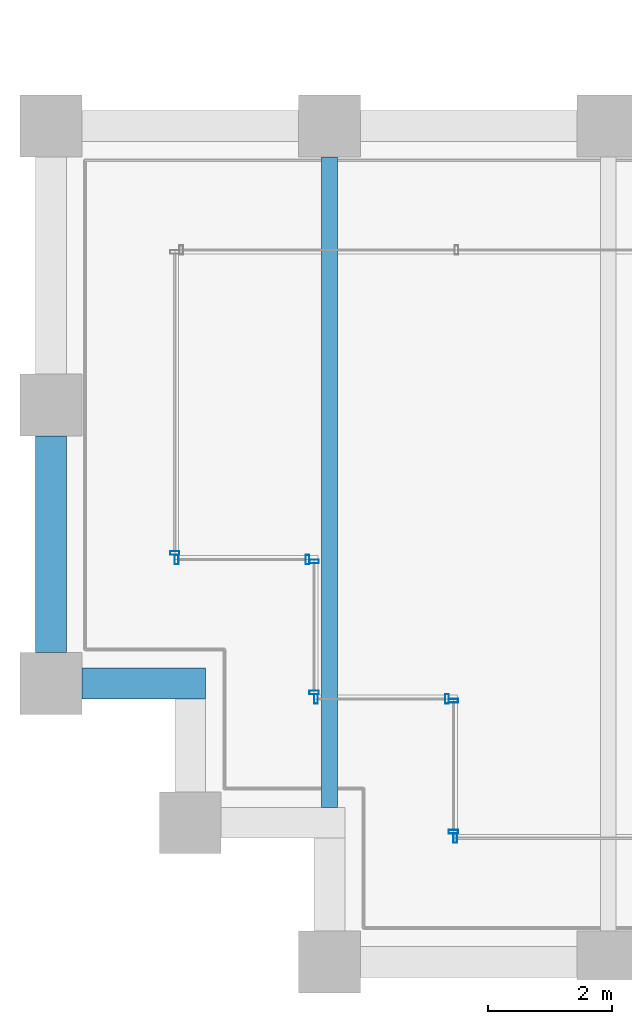
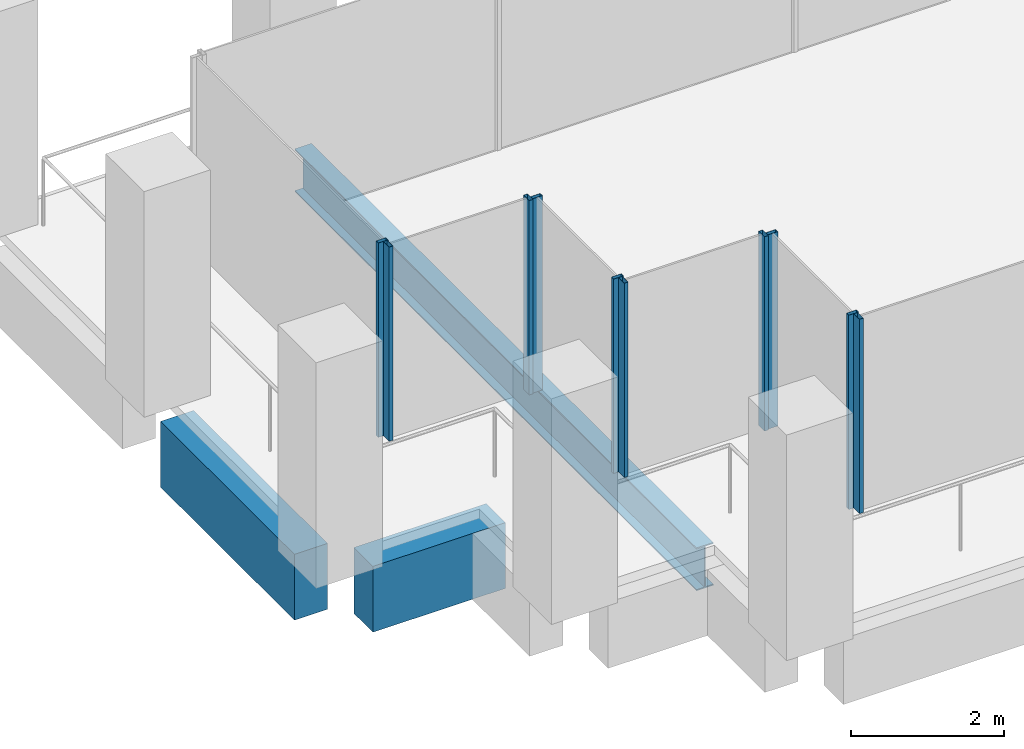
# One storey, part 2 of 47: 10 members, 3 beams, 6 elements without a shape of their own.
"""IFC4 building model written with IfcOpenShell, lengths in metres."""

from ifc_helpers import new_model, si_unit, direction, frame, origin, origin_2d, place, context, subcontext, project, spatial, rectangle, hollow_rectangle, i_section, extrude, material, material_profile, profile_set, type_object, element, aggregate, save


model = new_model("IFC4")

# Units and contexts
model_context = context("Model", 3, precision=1e-05, world=origin(), true_north=direction((0.0, 1.0)))
body_context = subcontext(model_context, "Body", "Model", "MODEL_VIEW")
ifc_project = project(units=[si_unit("LENGTHUNIT", "METRE"), si_unit("AREAUNIT", "SQUARE_METRE"), si_unit("VOLUMEUNIT", "CUBIC_METRE"), si_unit("PLANEANGLEUNIT", "RADIAN"), si_unit("MASSUNIT", "GRAM", prefix="KILO")], contexts=[model_context])

# Site, building, storey
site_placement = place(None, origin())
site = spatial("IfcSite", under=ifc_project, at=site_placement, CompositionType="ELEMENT")
building_placement = place(site_placement, origin())
building = spatial("IfcBuilding", under=site, at=building_placement, Name="Altepetl Exchange Towers", CompositionType="ELEMENT")
storey_placement = place(building_placement, frame((0.0, 0.0, 99.199951171875)))
storey = spatial("IfcBuildingStorey", under=building, at=storey_placement, Name="L24", CompositionType="ELEMENT", Elevation=99.199951171875)

# Beam
ifc_material_1 = material(Name="Steel S355", Category="steel")
ifc_material_profile_1 = material_profile(ifc_material_1, i_section(OverallWidth=0.25390625, OverallDepth=0.68408203125, WebThickness=0.012451171875, FlangeThickness=0.018798828125, at=origin_2d()), Name="W27X94")
ifc_profile_set_1 = profile_set([ifc_material_profile_1], Name="Steel S355")
beam_type_1 = type_object("IfcBeamType", Name="Floor beam W27X94", PredefinedType="BEAM", material=ifc_profile_set_1)
beam_1_placement = place(storey_placement, frame((31.5, 29.5, -0.491943359375), z_axis=(0.0, 1.0, 0.0), x_axis=(-1.0, 0.0, 0.0)))
element("IfcBeam", 1, at=beam_1_placement, inside=storey, type_object=beam_type_1, Name="bm:A:L24:012", PredefinedType="BEAM", context=body_context, shape_type="SweptSolid", body=[
    extrude(i_section(OverallWidth=0.25390625, OverallDepth=0.68408203125, WebThickness=0.012451171875, FlangeThickness=0.018798828125, at=origin_2d()), origin(), (0.0, 0.0, 1.0), 10.5),
])

# Curtain wall, member
ifc_material_2 = material(Name="Aluminium 6063-T6 glazing", Category="aluminium")
curtain_wall_type = type_object("IfcCurtainWallType", Name="Loggia glazing system", PredefinedType="NOTDEFINED", material=ifc_material_2)
curtain_wall_1_placement = place(storey_placement, origin())
curtain_wall_1 = element("IfcCurtainWall", 2, at=curtain_wall_1_placement, inside=storey, type_object=curtain_wall_type, Name="CW1 run", PredefinedType="NOTDEFINED")
ifc_material_3 = material(Name="Aluminium 6063-T6", Category="aluminium")
ifc_material_profile_2 = material_profile(ifc_material_3, hollow_rectangle(XDim=0.06005859375, YDim=0.14990234375, WallThickness=0.0029296875, at=origin_2d()), Name="Mullion 60x150 aluminium")
ifc_profile_set_2 = profile_set([ifc_material_profile_2], Name="Aluminium 6063-T6")
member_type = type_object("IfcMemberType", Name="Mullion 60x150 aluminium", PredefinedType="MULLION", material=ifc_profile_set_2)
member_1_placement = place(storey_placement, frame((29.0, 33.60498046875, 0.0), z_axis=(0.0, 0.0, 1.0), x_axis=(0.0, -1.0, 0.0)))
member_1 = element("IfcMember", 3, at=member_1_placement, type_object=member_type, Name="MU1 mullion", PredefinedType="MULLION", context=body_context, shape_type="SweptSolid", body=[
    extrude(hollow_rectangle(XDim=0.06005859375, YDim=0.14990234375, WallThickness=0.0029296875, at=origin_2d()), origin(), (0.0, 0.0, 1.0), 3.10009765625),
])
aggregate(curtain_wall_1, [member_1])

# Curtain wall, members
curtain_wall_2_placement = place(storey_placement, origin())
curtain_wall_2 = element("IfcCurtainWall", 4, at=curtain_wall_2_placement, inside=storey, type_object=curtain_wall_type, Name="CW1 run", PredefinedType="NOTDEFINED")
member_2_placement = place(storey_placement, frame((29.030029296875, 33.5, 0.0)))
member_2 = element("IfcMember", 5, at=member_2_placement, type_object=member_type, Name="MU1 mullion", PredefinedType="MULLION", context=body_context, shape_type="SweptSolid", body=[
    extrude(hollow_rectangle(XDim=0.06005859375, YDim=0.14990234375, WallThickness=0.0029296875, at=origin_2d()), origin(), (0.0, 0.0, 1.0), 3.10009765625),
])
member_3_placement = place(storey_placement, frame((31.14501953125, 33.5, 0.0)))
member_3 = element("IfcMember", 6, at=member_3_placement, type_object=member_type, Name="MU1 mullion", PredefinedType="MULLION", context=body_context, shape_type="SweptSolid", body=[
    extrude(hollow_rectangle(XDim=0.06005859375, YDim=0.14990234375, WallThickness=0.0029296875, at=origin_2d()), origin(), (0.0, 0.0, 1.0), 3.10009765625),
])
aggregate(curtain_wall_2, [member_2, member_3])

curtain_wall_3_placement = place(storey_placement, origin())
curtain_wall_3 = element("IfcCurtainWall", 7, at=curtain_wall_3_placement, inside=storey, type_object=curtain_wall_type, Name="CW1 run", PredefinedType="NOTDEFINED")
member_4_placement = place(storey_placement, frame((31.25, 33.469970703125, 0.0), z_axis=(0.0, 0.0, 1.0), x_axis=(0.0, -1.0, 0.0)))
member_4 = element("IfcMember", 8, at=member_4_placement, type_object=member_type, Name="MU1 mullion", PredefinedType="MULLION", context=body_context, shape_type="SweptSolid", body=[
    extrude(hollow_rectangle(XDim=0.06005859375, YDim=0.14990234375, WallThickness=0.0029296875, at=origin_2d()), origin(), (0.0, 0.0, 1.0), 3.10009765625),
])
member_5_placement = place(storey_placement, frame((31.25, 31.35498046875, 0.0), z_axis=(0.0, 0.0, 1.0), x_axis=(0.0, -1.0, 0.0)))
member_5 = element("IfcMember", 9, at=member_5_placement, type_object=member_type, Name="MU1 mullion", PredefinedType="MULLION", context=body_context, shape_type="SweptSolid", body=[
    extrude(hollow_rectangle(XDim=0.06005859375, YDim=0.14990234375, WallThickness=0.0029296875, at=origin_2d()), origin(), (0.0, 0.0, 1.0), 3.10009765625),
])
aggregate(curtain_wall_3, [member_4, member_5])

curtain_wall_4_placement = place(storey_placement, origin())
curtain_wall_4 = element("IfcCurtainWall", 10, at=curtain_wall_4_placement, inside=storey, type_object=curtain_wall_type, Name="CW1 run", PredefinedType="NOTDEFINED")
member_6_placement = place(storey_placement, frame((31.280029296875, 31.25, 0.0)))
member_6 = element("IfcMember", 11, at=member_6_placement, type_object=member_type, Name="MU1 mullion", PredefinedType="MULLION", context=body_context, shape_type="SweptSolid", body=[
    extrude(hollow_rectangle(XDim=0.06005859375, YDim=0.14990234375, WallThickness=0.0029296875, at=origin_2d()), origin(), (0.0, 0.0, 1.0), 3.10009765625),
])
member_7_placement = place(storey_placement, frame((33.39501953125, 31.25, 0.0)))
member_7 = element("IfcMember", 12, at=member_7_placement, type_object=member_type, Name="MU1 mullion", PredefinedType="MULLION", context=body_context, shape_type="SweptSolid", body=[
    extrude(hollow_rectangle(XDim=0.06005859375, YDim=0.14990234375, WallThickness=0.0029296875, at=origin_2d()), origin(), (0.0, 0.0, 1.0), 3.10009765625),
])
aggregate(curtain_wall_4, [member_6, member_7])

curtain_wall_5_placement = place(storey_placement, origin())
curtain_wall_5 = element("IfcCurtainWall", 13, at=curtain_wall_5_placement, inside=storey, type_object=curtain_wall_type, Name="CW1 run", PredefinedType="NOTDEFINED")
member_8_placement = place(storey_placement, frame((33.5, 31.219970703125, 0.0), z_axis=(0.0, 0.0, 1.0), x_axis=(0.0, -1.0, 0.0)))
member_8 = element("IfcMember", 14, at=member_8_placement, type_object=member_type, Name="MU1 mullion", PredefinedType="MULLION", context=body_context, shape_type="SweptSolid", body=[
    extrude(hollow_rectangle(XDim=0.06005859375, YDim=0.14990234375, WallThickness=0.0029296875, at=origin_2d()), origin(), (0.0, 0.0, 1.0), 3.10009765625),
])
member_9_placement = place(storey_placement, frame((33.5, 29.10498046875, 0.0), z_axis=(0.0, 0.0, 1.0), x_axis=(0.0, -1.0, 0.0)))
member_9 = element("IfcMember", 15, at=member_9_placement, type_object=member_type, Name="MU1 mullion", PredefinedType="MULLION", context=body_context, shape_type="SweptSolid", body=[
    extrude(hollow_rectangle(XDim=0.06005859375, YDim=0.14990234375, WallThickness=0.0029296875, at=origin_2d()), origin(), (0.0, 0.0, 1.0), 3.10009765625),
])
aggregate(curtain_wall_5, [member_8, member_9])

# Curtain wall, member
curtain_wall_6_placement = place(storey_placement, origin())
curtain_wall_6 = element("IfcCurtainWall", 16, at=curtain_wall_6_placement, inside=storey, type_object=curtain_wall_type, Name="CW1 run", PredefinedType="NOTDEFINED")
member_10_placement = place(storey_placement, frame((33.530029296875, 29.0, 0.0)))
member_10 = element("IfcMember", 17, at=member_10_placement, type_object=member_type, Name="MU1 mullion", PredefinedType="MULLION", context=body_context, shape_type="SweptSolid", body=[
    extrude(hollow_rectangle(XDim=0.06005859375, YDim=0.14990234375, WallThickness=0.0029296875, at=origin_2d()), origin(), (0.0, 0.0, 1.0), 3.10009765625),
])
aggregate(curtain_wall_6, [member_10])

# Beams
ifc_material_4 = material(Name="Concrete C50/60 precast with cantera blanca facing", Category="concrete")
ifc_material_profile_3 = material_profile(ifc_material_4, rectangle(XDim=0.5, YDim=1.050048828125, at=origin_2d()), Name="500 x 1050")
ifc_profile_set_3 = profile_set([ifc_material_profile_3], Name="Concrete C50/60 precast with cantera blanca facing")
beam_type_2 = type_object("IfcBeamType", Name="Spandrel beam 500x1050 cantera blanca", PredefinedType="SPANDREL", material=ifc_profile_set_3)
beam_2_placement = place(storey_placement, frame((27.0, 35.5, -0.675048828125), z_axis=(0.0, -1.0, 0.0), x_axis=(1.0, 0.0, 0.0)))
element("IfcBeam", 18, at=beam_2_placement, inside=storey, type_object=beam_type_2, Name="sp:A:L24:037", PredefinedType="SPANDREL", context=body_context, shape_type="SweptSolid", body=[
    extrude(rectangle(XDim=0.5, YDim=1.050048828125, at=origin_2d()), origin(), (0.0, 0.0, 1.0), 3.5),
])
beam_3_placement = place(storey_placement, frame((27.5, 31.5, -0.675048828125), z_axis=(1.0, 0.0, 0.0), x_axis=(0.0, 1.0, 0.0)))
element("IfcBeam", 19, at=beam_3_placement, inside=storey, type_object=beam_type_2, Name="sp:A:L24:038", PredefinedType="SPANDREL", context=body_context, shape_type="SweptSolid", body=[
    extrude(rectangle(XDim=0.5, YDim=1.050048828125, at=origin_2d()), origin(), (0.0, 0.0, 1.0), 2.0),
])

save(model, "model.ifc")
